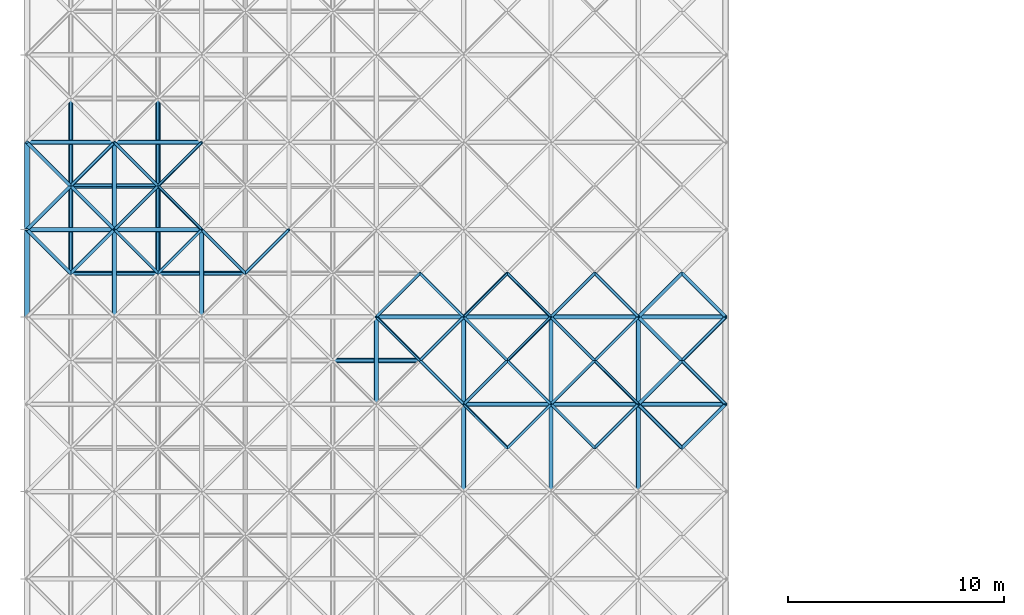
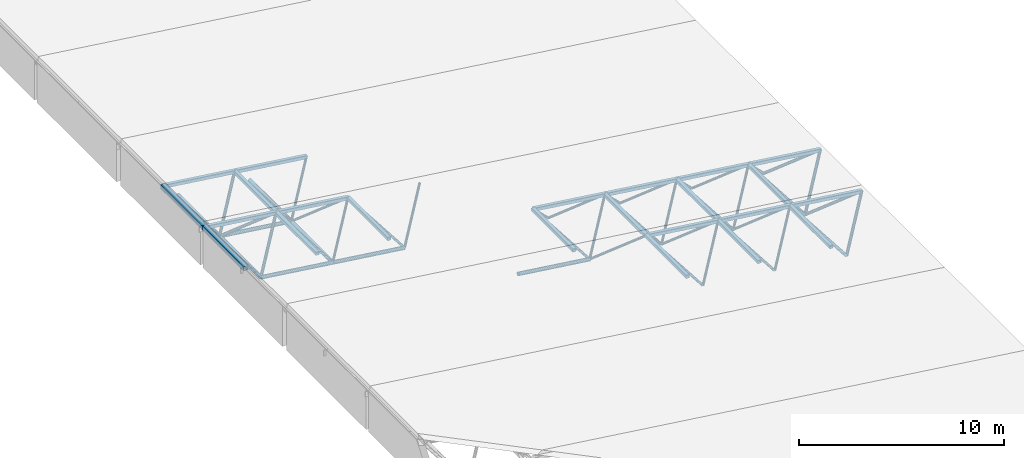
# One storey, part 19 of 70: 74 members.
"""IFC4 building model written with IfcOpenShell, lengths in metres."""

import ifcopenshell
import ifcopenshell.guid

model = None  # the IFC model being written
_history = None  # IfcOwnerHistory: only IFC2X3 demands one
_inside = {}  # id of a spatial element -> (the spatial element, [elements in it])
_under = {}  # id of a project, library or spatial element -> (it, [spatial elements below it])
_declared = {}  # id of a project -> (the project, [libraries it declares])
_typed = {}  # id of a type object -> (the type object, [elements of that type])
_made_of = {}  # id of a material, layer set ... -> (it, [elements and type objects made of it])


def new_model(schema):
    """Start an empty IFC model of exactly this schema.

    Asked for "IFC4X3", IfcOpenShell would pick the latest addendum, in which some entities
    have other attributes; the version numbers below select the first issue.
    IFC2X3 requires an IfcOwnerHistory on every rooted entity: one is made here for all.
    """
    global model, _history
    if schema == "IFC4X3":
        model = ifcopenshell.file(schema_version=(4, 3, 0, 0))
    else:
        model = ifcopenshell.file(schema=schema)
    _inside.clear()
    _under.clear()
    _declared.clear()
    _typed.clear()
    _made_of.clear()
    _history = None
    if model.schema == "IFC2X3":
        org = make("IfcOrganization", Name="unknown")
        user = make(
            "IfcPersonAndOrganization",
            ThePerson=make("IfcPerson", FamilyName="unknown"),
            TheOrganization=org,
        )
        app = make(
            "IfcApplication",
            ApplicationDeveloper=org,
            Version="unknown",
            ApplicationFullName="unknown",
            ApplicationIdentifier="unknown",
        )
        _history = make(
            "IfcOwnerHistory",
            OwningUser=user,
            OwningApplication=app,
            ChangeAction="ADDED",
            CreationDate=0,
        )
    return model


def make(cls, **values):
    """One entity of the class cls with the attributes given. An attribute that is None is left unset."""
    return model.create_entity(
        cls, **{name: value for name, value in values.items() if value is not None}
    )


def rooted(cls, **values):
    """An entity with a GlobalId (a new one), such as an element, a storey or a relation."""
    return make(cls, GlobalId=ifcopenshell.guid.new(), OwnerHistory=_history, **values)


def si_unit(unit_type, name, prefix=None):
    """IfcSIUnit, for example si_unit("LENGTHUNIT", "METRE", prefix="MILLI")."""
    return make("IfcSIUnit", UnitType=unit_type, Prefix=prefix, Name=name)


def assignment(units):
    """IfcUnitAssignment: the units of a project."""
    return None if units is None else make("IfcUnitAssignment", Units=units)


def point(xyz):
    """IfcCartesianPoint."""
    return None if xyz is None else make("IfcCartesianPoint", Coordinates=xyz)


def direction(xyz):
    """IfcDirection."""
    return None if xyz is None else make("IfcDirection", DirectionRatios=xyz)


def frame(location, z_axis=None, x_axis=None):
    """IfcAxis2Placement3D, a coordinate frame: its origin and axes. An axis left out is left unset."""
    return make(
        "IfcAxis2Placement3D",
        Location=point(location),
        Axis=direction(z_axis),
        RefDirection=direction(x_axis),
    )


def frame_2d(location, x_axis=None):
    """IfcAxis2Placement2D, a coordinate frame in the plane: its origin and x axis."""
    return make(
        "IfcAxis2Placement2D", Location=point(location), RefDirection=direction(x_axis)
    )


def origin():
    """The frame at (0, 0, 0) with its axes left unset."""
    return frame((0.0, 0.0, 0.0))


def origin_2d():
    """The frame at (0, 0) in the plane with its x axis left unset."""
    return frame_2d((0.0, 0.0))


def place(relative_to, where):
    """IfcLocalPlacement: puts the frame where relative to a parent placement (None: the world)."""
    return make(
        "IfcLocalPlacement", PlacementRelTo=relative_to, RelativePlacement=where
    )


def context(
    kind, dimensions, precision=None, world=None, true_north=None, identifier=None
):
    """IfcGeometricRepresentationContext, for example the 3D "Model" context."""
    return make(
        "IfcGeometricRepresentationContext",
        ContextIdentifier=identifier,
        ContextType=kind,
        CoordinateSpaceDimension=dimensions,
        Precision=precision,
        WorldCoordinateSystem=world,
        TrueNorth=true_north,
    )


def subcontext(parent, identifier, kind, view, scale=None):
    """IfcGeometricRepresentationSubContext, for example "Body" below "Model"."""
    return make(
        "IfcGeometricRepresentationSubContext",
        ContextIdentifier=identifier,
        ContextType=kind,
        ParentContext=parent,
        TargetScale=scale,
        TargetView=view,
    )


def project(units=None, contexts=None):
    """IfcProject with its units and contexts."""
    return rooted(
        "IfcProject",
        Name="project",
        RepresentationContexts=contexts,
        UnitsInContext=assignment(units),
    )


def spatial(cls, under=None, at=None, **own):
    """A site, building, storey or space (cls), placed at a placement, below another one or the project."""
    s = rooted(cls, ObjectPlacement=at, **own)
    if under is not None:
        _under.setdefault(under.id(), (under, []))[1].append(s)
    return s


def profile(cls, at=None, kind="AREA", **sizes):
    """A parametric profile (cls). Its sizes go by their IFC names, for example OverallWidth=200.0."""
    return make(cls, ProfileType=kind, Position=at, **sizes)


def hollow_rectangle(**sizes):
    """IfcRectangleHollowProfileDef."""
    return profile("IfcRectangleHollowProfileDef", **sizes)


def hollow_circle(**sizes):
    """IfcCircleHollowProfileDef."""
    return profile("IfcCircleHollowProfileDef", **sizes)


def extrude(swept, where, along, depth):
    """IfcExtrudedAreaSolid: the profile swept, set in the frame where, extruded along a direction by depth."""
    return make(
        "IfcExtrudedAreaSolid",
        SweptArea=swept,
        Position=where,
        ExtrudedDirection=direction(along),
        Depth=depth,
    )


def shape(context_of_items, identifier, shape_type, items):
    """IfcShapeRepresentation: the items that make up one representation, for example the "Body"."""
    return make(
        "IfcShapeRepresentation",
        ContextOfItems=context_of_items,
        RepresentationIdentifier=identifier,
        RepresentationType=shape_type,
        Items=items,
    )


def material(Name=None, Category=None):
    """IfcMaterial."""
    return make("IfcMaterial", Name=Name, Category=Category)


def material_profile(
    of_material, cross_section, Name=None, Category=None, Priority=None
):
    """IfcMaterialProfile: a cross section and its material."""
    return make(
        "IfcMaterialProfile",
        Name=Name,
        Material=of_material,
        Profile=cross_section,
        Priority=Priority,
        Category=Category,
    )


def profile_set(profiles, Name=None, composite=None):
    """IfcMaterialProfileSet."""
    return make(
        "IfcMaterialProfileSet",
        Name=Name,
        MaterialProfiles=profiles,
        CompositeProfile=composite,
    )


def made_of(thing, what):
    """Note that an element or type object is made of a material, layer set ...; save() writes the relation."""
    if what is not None:
        _made_of.setdefault(what.id(), (what, []))[1].append(thing)
    return thing


def type_object(cls, material=None, **own):
    """A type object (cls), such as IfcWallType, which elements share."""
    return made_of(rooted(cls, **own), material)


def element(
    cls,
    number,
    at=None,
    inside=None,
    cuts=None,
    type_object=None,
    material=None,
    context=None,
    identifier="Body",
    shape_type=None,
    held_by="IfcProductDefinitionShape",
    body=None,
    shapes=None,
    **own,
):
    """One element of the class cls, such as IfcWall. Its Tag is "e" and its number.

    at: its placement. inside: the storey or other place that contains it. cuts: it is an
    opening in that element (IfcRelVoidsElement). A single representation is given by context,
    identifier, shape_type and body (its items); several are given by shapes. held_by: the class
    of the entity that holds the representations. save() writes the other relations.
    """
    e = rooted(cls, Tag="e%d" % number, ObjectPlacement=at, **own)
    if body is not None:
        shapes = [shape(context, identifier, shape_type, body)]
    if shapes is not None:
        e.Representation = make(held_by, Representations=shapes)
    if inside is not None:
        _inside.setdefault(inside.id(), (inside, []))[1].append(e)
    if cuts is not None:
        rooted(
            "IfcRelVoidsElement", RelatingBuildingElement=cuts, RelatedOpeningElement=e
        )
    if type_object is not None:
        _typed.setdefault(type_object.id(), (type_object, []))[1].append(e)
    return made_of(e, material)


def aggregate(whole, parts):
    """IfcRelAggregates: a whole, such as a stair, and the parts it consists of."""
    return rooted("IfcRelAggregates", RelatingObject=whole, RelatedObjects=parts)


def save(model, path):
    """Write the relations noted so far, then the file.

    IfcRelAggregates (storeys below a building ...), IfcRelContainedInSpatialStructure (elements
    in a storey), IfcRelDefinesByType, IfcRelAssociatesMaterial and IfcRelDeclares: one each for
    every whole, place, type object, material and project.
    """
    for whole, parts in _under.values():
        aggregate(whole, parts)
    for where, things in _inside.values():
        rooted(
            "IfcRelContainedInSpatialStructure",
            RelatedElements=things,
            RelatingStructure=where,
        )
    for kind, things in _typed.values():
        rooted("IfcRelDefinesByType", RelatedObjects=things, RelatingType=kind)
    for what, things in _made_of.values():
        rooted("IfcRelAssociatesMaterial", RelatedObjects=things, RelatingMaterial=what)
    for by, libraries in _declared.values():
        rooted("IfcRelDeclares", RelatingContext=by, RelatedDefinitions=libraries)
    model.write(path)


model = new_model("IFC4")

# Units and contexts
model_context = context("Model", 3, precision=1e-05, world=origin(), true_north=direction((0.0, 1.0)))
body_context = subcontext(model_context, "Body", "Model", "MODEL_VIEW")
ifc_project = project(units=[si_unit("LENGTHUNIT", "METRE"), si_unit("AREAUNIT", "SQUARE_METRE"), si_unit("VOLUMEUNIT", "CUBIC_METRE"), si_unit("PLANEANGLEUNIT", "RADIAN"), si_unit("MASSUNIT", "GRAM", prefix="KILO")], contexts=[model_context])

# Site, building, storey
site_placement = place(None, origin())
site = spatial("IfcSite", under=ifc_project, at=site_placement, CompositionType="ELEMENT")
building_placement = place(site_placement, origin())
building = spatial("IfcBuilding", under=site, at=building_placement, Name="Vaudrelin Polytechnic", CompositionType="ELEMENT")
storey_placement = place(building_placement, frame((0.0, 0.0, 14.110107421875)))
storey = spatial("IfcBuildingStorey", under=building, at=storey_placement, Name="L03", CompositionType="ELEMENT", Elevation=14.110107421875)

# Members
ifc_material = material(Name="Steel CSA G40.21 350WT", Category="steel")
ifc_material_profile_1 = material_profile(ifc_material, hollow_circle(Radius=0.109619140625, WallThickness=0.010986328125, at=origin_2d()), Name="CHS219.1x11.1")
ifc_profile_set_1 = profile_set([ifc_material_profile_1], Name="Steel CSA G40.21 350WT")
member_type_1 = type_object("IfcMemberType", Name="MEM-SF-BC1", PredefinedType="CHORD", material=ifc_profile_set_1)
for number, where, z_axis, x_axis, name in (
    (1, (14.175048828125, 66.824951171875, 0.439208984375), (0.991444732077, 0.0, -0.130527174324), (0.0, 1.0, 0.0), "Space frame bottom chord X 4-7"),
    (2, (2.02490234375, 70.875, 2.038818359375), (0.991444732077, 0.0, -0.130527174324), (0.0, 1.0, 0.0), "Space frame bottom chord X 1-8"),
    (3, (6.074951171875, 70.875, 1.505615234375), (0.991444732077, 0.0, -0.130527174324), (0.0, 1.0, 0.0), "Space frame bottom chord X 2-8"),
    (4, (2.02490234375, 74.925048828125, 2.038818359375), (0.991444732077, 0.0, -0.130527174324), (0.0, 1.0, 0.0), "Space frame bottom chord X 1-9"),
):
    element("IfcMember", number, at=place(storey_placement, frame(where, z_axis=z_axis, x_axis=x_axis)), inside=storey, type_object=member_type_1, Name=name, PredefinedType="CHORD", context=body_context, shape_type="SweptSolid", body=[
        extrude(hollow_circle(Radius=0.109619140625, WallThickness=0.010986328125, at=origin_2d()), origin(), (0.0, 0.0, 1.0), 4.0849609375),
    ])
for number, where, z_axis, x_axis, name in (
    (5, (2.02490234375, 70.875, 2.038818359375), (0.0, 1.0, 0.0), (-1.0, 0.0, 0.0), "Space frame bottom chord Y 1-8"),
    (6, (2.02490234375, 74.925048828125, 2.038818359375), (0.0, 1.0, 0.0), (-1.0, 0.0, 0.0), "Space frame bottom chord Y 1-9"),
    (7, (6.074951171875, 70.875, 1.505615234375), (0.0, 1.0, 0.0), (-1.0, 0.0, 0.0), "Space frame bottom chord Y 2-8"),
    (8, (6.074951171875, 74.925048828125, 1.505615234375), (0.0, 1.0, 0.0), (-1.0, 0.0, 0.0), "Space frame bottom chord Y 2-9"),
):
    element("IfcMember", number, at=place(storey_placement, frame(where, z_axis=z_axis, x_axis=x_axis)), inside=storey, type_object=member_type_1, Name=name, PredefinedType="CHORD", context=body_context, shape_type="SweptSolid", body=[
        extrude(hollow_circle(Radius=0.109619140625, WallThickness=0.010986328125, at=origin_2d()), origin(), (0.0, 0.0, 1.0), 4.050048828125),
    ])
ifc_material_profile_2 = material_profile(ifc_material, hollow_rectangle(XDim=0.202880859375, YDim=0.202880859375, WallThickness=0.009521484375, InnerFilletRadius=0.009521484375, OuterFilletRadius=0.01904296875, at=origin_2d()), Name="HSS203x203x9.5")
ifc_profile_set_2 = profile_set([ifc_material_profile_2], Name="Steel CSA G40.21 350WT")
member_type_2 = type_object("IfcMemberType", Name="MEM-SF-TC1", PredefinedType="CHORD", material=ifc_profile_set_2)
for number, where, z_axis, x_axis, name in (
    (9, (20.25, 64.800048828125, 1.839599609375), (0.991444732077, 0.0, -0.130527174324), (0.0, 1.0, 0.0), "Space frame top chord X 6-7"),
    (10, (24.300048828125, 64.800048828125, 1.306396484375), (0.991444732077, 0.0, -0.130527174324), (0.0, 1.0, 0.0), "Space frame top chord X 7-7"),
):
    element("IfcMember", number, at=place(storey_placement, frame(where, z_axis=z_axis, x_axis=x_axis)), inside=storey, type_object=member_type_2, Name=name, PredefinedType="CHORD", context=body_context, shape_type="SweptSolid", body=[
        extrude(hollow_rectangle(XDim=0.202880859375, YDim=0.202880859375, WallThickness=0.009521484375, InnerFilletRadius=0.009521484375, OuterFilletRadius=0.01904296875, at=origin_2d()), origin(), (0.0, 0.0, 1.0), 4.0849609375),
    ])
member_1_placement = place(storey_placement, frame((28.35009765625, 64.800048828125, 0.773193359375), z_axis=(0.991443713746, 0.0, -0.13053490902), x_axis=(0.0, 1.0, 0.0)))
element("IfcMember", 11, at=member_1_placement, inside=storey, type_object=member_type_2, Name="Space frame top chord X 8-7", PredefinedType="CHORD", context=body_context, shape_type="SweptSolid", body=[
    extrude(hollow_rectangle(XDim=0.202880859375, YDim=0.202880859375, WallThickness=0.009521484375, InnerFilletRadius=0.009521484375, OuterFilletRadius=0.01904296875, at=origin_2d()), origin(), (0.0, 0.0, 1.0), 4.084716796875),
])
for number, where, z_axis, x_axis, name in (
    (12, (16.199951171875, 68.85009765625, 2.372802734375), (0.991444732077, 0.0, -0.130527174324), (0.0, 1.0, 0.0), "Space frame top chord X 5-8"),
    (13, (20.25, 68.85009765625, 1.839599609375), (0.991444732077, 0.0, -0.130527174324), (0.0, 1.0, 0.0), "Space frame top chord X 6-8"),
    (14, (24.300048828125, 68.85009765625, 1.306396484375), (0.991444732077, 0.0, -0.130527174324), (0.0, 1.0, 0.0), "Space frame top chord X 7-8"),
):
    element("IfcMember", number, at=place(storey_placement, frame(where, z_axis=z_axis, x_axis=x_axis)), inside=storey, type_object=member_type_2, Name=name, PredefinedType="CHORD", context=body_context, shape_type="SweptSolid", body=[
        extrude(hollow_rectangle(XDim=0.202880859375, YDim=0.202880859375, WallThickness=0.009521484375, InnerFilletRadius=0.009521484375, OuterFilletRadius=0.01904296875, at=origin_2d()), origin(), (0.0, 0.0, 1.0), 4.0849609375),
    ])
member_2_placement = place(storey_placement, frame((28.35009765625, 68.85009765625, 0.773193359375), z_axis=(0.991443713746, 0.0, -0.13053490902), x_axis=(0.0, 1.0, 0.0)))
element("IfcMember", 15, at=member_2_placement, inside=storey, type_object=member_type_2, Name="Space frame top chord X 8-8", PredefinedType="CHORD", context=body_context, shape_type="SweptSolid", body=[
    extrude(hollow_rectangle(XDim=0.202880859375, YDim=0.202880859375, WallThickness=0.009521484375, InnerFilletRadius=0.009521484375, OuterFilletRadius=0.01904296875, at=origin_2d()), origin(), (0.0, 0.0, 1.0), 4.084716796875),
])
for number, where, z_axis, x_axis, name in (
    (16, (0.0, 72.89990234375, 4.50537109375), (0.991444732077, 0.0, -0.130527174324), (0.0, 1.0, 0.0), "Space frame top chord X 1-9"),
    (17, (4.050048828125, 72.89990234375, 3.97216796875), (0.991452464639, 0.0, -0.130468426687), (0.0, 1.0, 0.0), "Space frame top chord X 2-9"),
    (18, (0.0, 76.949951171875, 4.50537109375), (0.991444732077, 0.0, -0.130527174324), (0.0, 1.0, 0.0), "Space frame top chord X 1-10"),
    (19, (4.050048828125, 76.949951171875, 3.97216796875), (0.991452464639, 0.0, -0.130468426687), (0.0, 1.0, 0.0), "Space frame top chord X 2-10"),
):
    element("IfcMember", number, at=place(storey_placement, frame(where, z_axis=z_axis, x_axis=x_axis)), inside=storey, type_object=member_type_2, Name=name, PredefinedType="CHORD", context=body_context, shape_type="SweptSolid", body=[
        extrude(hollow_rectangle(XDim=0.202880859375, YDim=0.202880859375, WallThickness=0.009521484375, InnerFilletRadius=0.009521484375, OuterFilletRadius=0.01904296875, at=origin_2d()), origin(), (0.0, 0.0, 1.0), 4.0849609375),
    ])
member_3_placement = place(storey_placement, frame((4.050048828125, 68.85009765625, 3.97216796875), z_axis=(0.0, 1.0, 0.0), x_axis=(-1.0, 0.0, 0.0)))
element("IfcMember", 20, at=member_3_placement, inside=storey, type_object=member_type_2, Name="Space frame top chord Y 2-8", PredefinedType="CHORD", context=body_context, shape_type="SweptSolid", body=[
    extrude(hollow_rectangle(XDim=0.202880859375, YDim=0.202880859375, WallThickness=0.009521484375, InnerFilletRadius=0.009521484375, OuterFilletRadius=0.01904296875, at=origin_2d()), origin(), (0.0, 0.0, 1.0), 4.0498046875),
])
member_4_placement = place(storey_placement, frame((4.050048828125, 72.89990234375, 3.97216796875), z_axis=(0.0, 1.0, 0.0), x_axis=(-1.0, 0.0, 0.0)))
element("IfcMember", 21, at=member_4_placement, inside=storey, type_object=member_type_2, Name="Space frame top chord Y 2-9", PredefinedType="CHORD", context=body_context, shape_type="SweptSolid", body=[
    extrude(hollow_rectangle(XDim=0.202880859375, YDim=0.202880859375, WallThickness=0.009521484375, InnerFilletRadius=0.009521484375, OuterFilletRadius=0.01904296875, at=origin_2d()), origin(), (0.0, 0.0, 1.0), 4.050048828125),
])
member_5_placement = place(storey_placement, frame((8.10009765625, 68.85009765625, 3.439208984375), z_axis=(0.0, 1.0, 0.0), x_axis=(-1.0, 0.0, 0.0)))
element("IfcMember", 22, at=member_5_placement, inside=storey, type_object=member_type_2, Name="Space frame top chord Y 3-8", PredefinedType="CHORD", context=body_context, shape_type="SweptSolid", body=[
    extrude(hollow_rectangle(XDim=0.202880859375, YDim=0.202880859375, WallThickness=0.009521484375, InnerFilletRadius=0.009521484375, OuterFilletRadius=0.01904296875, at=origin_2d()), origin(), (0.0, 0.0, 1.0), 4.0498046875),
])
for number, where, z_axis, x_axis, name in (
    (23, (16.199951171875, 64.800048828125, 2.372802734375), (0.0, 1.0, 0.0), (-1.0, 0.0, 0.0), "Space frame top chord Y 5-7"),
    (24, (20.25, 60.75, 1.839599609375), (0.0, 1.0, 0.0), (-1.0, 0.0, 0.0), "Space frame top chord Y 6-6"),
    (25, (20.25, 64.800048828125, 1.839599609375), (0.0, 1.0, 0.0), (-1.0, 0.0, 0.0), "Space frame top chord Y 6-7"),
    (26, (24.300048828125, 60.75, 1.306396484375), (0.0, 1.0, 0.0), (-1.0, 0.0, 0.0), "Space frame top chord Y 7-6"),
    (27, (24.300048828125, 64.800048828125, 1.306396484375), (0.0, 1.0, 0.0), (-1.0, 0.0, 0.0), "Space frame top chord Y 7-7"),
    (28, (28.35009765625, 60.75, 0.773193359375), (0.0, 1.0, 0.0), (-1.0, 0.0, 0.0), "Space frame top chord Y 8-6"),
    (29, (28.35009765625, 64.800048828125, 0.773193359375), (0.0, 1.0, 0.0), (-1.0, 0.0, 0.0), "Space frame top chord Y 8-7"),
):
    element("IfcMember", number, at=place(storey_placement, frame(where, z_axis=z_axis, x_axis=x_axis)), inside=storey, type_object=member_type_2, Name=name, PredefinedType="CHORD", context=body_context, shape_type="SweptSolid", body=[
        extrude(hollow_rectangle(XDim=0.202880859375, YDim=0.202880859375, WallThickness=0.009521484375, InnerFilletRadius=0.009521484375, OuterFilletRadius=0.01904296875, at=origin_2d()), origin(), (0.0, 0.0, 1.0), 4.050048828125),
    ])
ifc_material_profile_3 = material_profile(ifc_material, hollow_rectangle(XDim=0.25390625, YDim=0.25390625, WallThickness=0.0126953125, InnerFilletRadius=0.0126953125, OuterFilletRadius=0.025390625, at=origin_2d()), Name="HSS254x254x12.7")
ifc_profile_set_3 = profile_set([ifc_material_profile_3], Name="Steel CSA G40.21 350WT")
member_type_3 = type_object("IfcMemberType", Name="MEM-SF-TC2", PredefinedType="CHORD", material=ifc_profile_set_3)
member_6_placement = place(storey_placement, frame((0.0, 68.85009765625, 4.50537109375), z_axis=(0.0, 1.0, 0.0), x_axis=(-1.0, 0.0, 0.0)))
element("IfcMember", 30, at=member_6_placement, inside=storey, type_object=member_type_3, Name="Space frame top chord Y 1-8", PredefinedType="CHORD", context=body_context, shape_type="SweptSolid", body=[
    extrude(hollow_rectangle(XDim=0.25390625, YDim=0.25390625, WallThickness=0.0126953125, InnerFilletRadius=0.0126953125, OuterFilletRadius=0.025390625, at=origin_2d()), origin(), (0.0, 0.0, 1.0), 4.0498046875),
])
member_7_placement = place(storey_placement, frame((0.0, 72.89990234375, 4.50537109375), z_axis=(0.0, 1.0, 0.0), x_axis=(-1.0, 0.0, 0.0)))
element("IfcMember", 31, at=member_7_placement, inside=storey, type_object=member_type_3, Name="Space frame top chord Y 1-9", PredefinedType="CHORD", context=body_context, shape_type="SweptSolid", body=[
    extrude(hollow_rectangle(XDim=0.25390625, YDim=0.25390625, WallThickness=0.0126953125, InnerFilletRadius=0.0126953125, OuterFilletRadius=0.025390625, at=origin_2d()), origin(), (0.0, 0.0, 1.0), 4.050048828125),
])
ifc_material_profile_4 = material_profile(ifc_material, hollow_circle(Radius=0.06982421875, WallThickness=0.008056640625, at=origin_2d()), Name="CHS139.7x8.0")
ifc_profile_set_4 = profile_set([ifc_material_profile_4], Name="Steel CSA G40.21 350WT")
member_type_4 = type_object("IfcMemberType", Name="MEM-SF-WB1", PredefinedType="BRACE", material=ifc_profile_set_4)
member_8_placement = place(storey_placement, frame((6.074951171875, 70.875, 1.505615234375), z_axis=(0.586070753284, 0.586000099787, 0.559575692105), x_axis=(-0.707064154862, 0.707149404941, 0.0)))
element("IfcMember", 32, at=member_8_placement, inside=storey, type_object=member_type_4, Name="Space frame web diagonal 2.8.3", PredefinedType="BRACE", context=body_context, shape_type="SweptSolid", body=[
    extrude(hollow_circle(Radius=0.06982421875, WallThickness=0.008056640625, at=origin_2d()), origin(), (0.0, 0.0, 1.0), 3.45556640625),
])
for number, where, z_axis, x_axis, name in (
    (33, (6.074951171875, 70.875, 1.505615234375), (-0.535764547812, 0.535764547812, 0.652619872986), (-0.707106781187, -0.707106781187, 0.0), "Space frame web diagonal 2.8.4"),
    (34, (6.074951171875, 74.925048828125, 1.505615234375), (-0.535746005601, -0.535810600007, 0.652597286543), (0.707149404941, -0.707064154862, 0.0), "Space frame web diagonal 2.9.1"),
):
    element("IfcMember", number, at=place(storey_placement, frame(where, z_axis=z_axis, x_axis=x_axis)), inside=storey, type_object=member_type_4, Name=name, PredefinedType="BRACE", context=body_context, shape_type="SweptSolid", body=[
        extrude(hollow_circle(Radius=0.06982421875, WallThickness=0.008056640625, at=origin_2d()), origin(), (0.0, 0.0, 1.0), 3.779541015625),
    ])
for number, where, z_axis, x_axis, name in (
    (35, (6.074951171875, 74.925048828125, 1.505615234375), (0.586046488267, -0.586046488267, 0.559552524059), (0.707106781187, 0.707106781187, 0.0), "Space frame web diagonal 2.9.2"),
    (36, (6.074951171875, 74.925048828125, 1.505615234375), (0.586070753284, 0.586000099787, 0.559575692105), (-0.707064154862, 0.707149404941, 0.0), "Space frame web diagonal 2.9.3"),
):
    element("IfcMember", number, at=place(storey_placement, frame(where, z_axis=z_axis, x_axis=x_axis)), inside=storey, type_object=member_type_4, Name=name, PredefinedType="BRACE", context=body_context, shape_type="SweptSolid", body=[
        extrude(hollow_circle(Radius=0.06982421875, WallThickness=0.008056640625, at=origin_2d()), origin(), (0.0, 0.0, 1.0), 3.45556640625),
    ])
member_9_placement = place(storey_placement, frame((6.074951171875, 74.925048828125, 1.505615234375), z_axis=(-0.535764547812, 0.535764547812, 0.652619872986), x_axis=(-0.707106781187, -0.707106781187, 0.0)))
element("IfcMember", 37, at=member_9_placement, inside=storey, type_object=member_type_4, Name="Space frame web diagonal 2.9.4", PredefinedType="BRACE", context=body_context, shape_type="SweptSolid", body=[
    extrude(hollow_circle(Radius=0.06982421875, WallThickness=0.008056640625, at=origin_2d()), origin(), (0.0, 0.0, 1.0), 3.779541015625),
])
member_10_placement = place(storey_placement, frame((10.125, 70.875, 0.972412109375), z_axis=(0.586024364893, 0.586024364893, 0.559598863028), x_axis=(-0.707106781187, 0.707106781187, 0.0)))
element("IfcMember", 38, at=member_10_placement, inside=storey, type_object=member_type_4, Name="Space frame web diagonal 3.8.3", PredefinedType="BRACE", context=body_context, shape_type="SweptSolid", body=[
    extrude(hollow_circle(Radius=0.06982421875, WallThickness=0.008056640625, at=origin_2d()), origin(), (0.0, 0.0, 1.0), 3.455322265625),
])
member_11_placement = place(storey_placement, frame((10.125, 70.875, 0.972412109375), z_axis=(-0.535741961868, 0.535741961868, 0.652656954753), x_axis=(-0.707106781187, -0.707106781187, 0.0)))
element("IfcMember", 39, at=member_11_placement, inside=storey, type_object=member_type_4, Name="Space frame web diagonal 3.8.4", PredefinedType="BRACE", context=body_context, shape_type="SweptSolid", body=[
    extrude(hollow_circle(Radius=0.06982421875, WallThickness=0.008056640625, at=origin_2d()), origin(), (0.0, 0.0, 1.0), 3.779541015625),
])
member_12_placement = place(storey_placement, frame((18.22509765625, 66.824951171875, -0.093994140625), z_axis=(0.586024364893, -0.586024364893, 0.559598863028), x_axis=(0.707106781187, 0.707106781187, 0.0)))
element("IfcMember", 40, at=member_12_placement, inside=storey, type_object=member_type_4, Name="Space frame web diagonal 5.7.2", PredefinedType="BRACE", context=body_context, shape_type="SweptSolid", body=[
    extrude(hollow_circle(Radius=0.06982421875, WallThickness=0.008056640625, at=origin_2d()), origin(), (0.0, 0.0, 1.0), 3.455322265625),
])
member_13_placement = place(storey_placement, frame((18.22509765625, 66.824951171875, -0.093994140625), z_axis=(0.586000099787, 0.586070753284, 0.559575692105), x_axis=(-0.707149404941, 0.707064154862, 0.0)))
element("IfcMember", 41, at=member_13_placement, inside=storey, type_object=member_type_4, Name="Space frame web diagonal 5.7.3", PredefinedType="BRACE", context=body_context, shape_type="SweptSolid", body=[
    extrude(hollow_circle(Radius=0.06982421875, WallThickness=0.008056640625, at=origin_2d()), origin(), (0.0, 0.0, 1.0), 3.45556640625),
])
for number, where, z_axis, x_axis, name in (
    (42, (18.22509765625, 66.824951171875, -0.093994140625), (-0.535769473509, 0.535769473509, 0.652611785453), (-0.707106781187, -0.707106781187, 0.0), "Space frame web diagonal 5.7.4"),
    (43, (18.22509765625, 70.875, -0.093994140625), (-0.535788013686, -0.535723422002, 0.65263436893), (0.707064154862, -0.707149404941, 0.0), "Space frame web diagonal 5.8.1"),
):
    element("IfcMember", number, at=place(storey_placement, frame(where, z_axis=z_axis, x_axis=x_axis)), inside=storey, type_object=member_type_4, Name=name, PredefinedType="BRACE", context=body_context, shape_type="SweptSolid", body=[
        extrude(hollow_circle(Radius=0.06982421875, WallThickness=0.008056640625, at=origin_2d()), origin(), (0.0, 0.0, 1.0), 3.77978515625),
    ])
member_14_placement = place(storey_placement, frame((18.22509765625, 70.875, -0.093994140625), z_axis=(0.586024364893, -0.586024364893, 0.559598863028), x_axis=(0.707106781187, 0.707106781187, 0.0)))
element("IfcMember", 44, at=member_14_placement, inside=storey, type_object=member_type_4, Name="Space frame web diagonal 5.8.2", PredefinedType="BRACE", context=body_context, shape_type="SweptSolid", body=[
    extrude(hollow_circle(Radius=0.06982421875, WallThickness=0.008056640625, at=origin_2d()), origin(), (0.0, 0.0, 1.0), 3.455322265625),
])
member_15_placement = place(storey_placement, frame((22.27490234375, 62.77490234375, -0.627197265625), z_axis=(0.586046488267, 0.586046488267, 0.559552524059), x_axis=(-0.707106781187, 0.707106781187, 0.0)))
element("IfcMember", 45, at=member_15_placement, inside=storey, type_object=member_type_4, Name="Space frame web diagonal 6.6.3", PredefinedType="BRACE", context=body_context, shape_type="SweptSolid", body=[
    extrude(hollow_circle(Radius=0.06982421875, WallThickness=0.008056640625, at=origin_2d()), origin(), (0.0, 0.0, 1.0), 3.45556640625),
])
member_16_placement = place(storey_placement, frame((22.27490234375, 62.77490234375, -0.627197265625), z_axis=(-0.535723422002, 0.535788013686, 0.65263436893), x_axis=(-0.707149404941, -0.707064154862, 0.0)))
element("IfcMember", 46, at=member_16_placement, inside=storey, type_object=member_type_4, Name="Space frame web diagonal 6.6.4", PredefinedType="BRACE", context=body_context, shape_type="SweptSolid", body=[
    extrude(hollow_circle(Radius=0.06982421875, WallThickness=0.008056640625, at=origin_2d()), origin(), (0.0, 0.0, 1.0), 3.77978515625),
])
member_17_placement = place(storey_placement, frame((22.27490234375, 66.824951171875, -0.627197265625), z_axis=(-0.535741961868, -0.535741961868, 0.652656954753), x_axis=(0.707106781187, -0.707106781187, 0.0)))
element("IfcMember", 47, at=member_17_placement, inside=storey, type_object=member_type_4, Name="Space frame web diagonal 6.7.1", PredefinedType="BRACE", context=body_context, shape_type="SweptSolid", body=[
    extrude(hollow_circle(Radius=0.06982421875, WallThickness=0.008056640625, at=origin_2d()), origin(), (0.0, 0.0, 1.0), 3.779541015625),
])
for number, where, z_axis, x_axis, name in (
    (48, (22.27490234375, 66.824951171875, -0.627197265625), (0.586070753284, -0.586000099787, 0.559575692105), (0.707064154862, 0.707149404941, 0.0), "Space frame web diagonal 6.7.2"),
    (49, (22.27490234375, 66.824951171875, -0.627197265625), (0.586046488267, 0.586046488267, 0.559552524059), (-0.707106781187, 0.707106781187, 0.0), "Space frame web diagonal 6.7.3"),
):
    element("IfcMember", number, at=place(storey_placement, frame(where, z_axis=z_axis, x_axis=x_axis)), inside=storey, type_object=member_type_4, Name=name, PredefinedType="BRACE", context=body_context, shape_type="SweptSolid", body=[
        extrude(hollow_circle(Radius=0.06982421875, WallThickness=0.008056640625, at=origin_2d()), origin(), (0.0, 0.0, 1.0), 3.45556640625),
    ])
member_18_placement = place(storey_placement, frame((22.27490234375, 66.824951171875, -0.627197265625), z_axis=(-0.535723422002, 0.535788013686, 0.65263436893), x_axis=(-0.707149404941, -0.707064154862, 0.0)))
element("IfcMember", 50, at=member_18_placement, inside=storey, type_object=member_type_4, Name="Space frame web diagonal 6.7.4", PredefinedType="BRACE", context=body_context, shape_type="SweptSolid", body=[
    extrude(hollow_circle(Radius=0.06982421875, WallThickness=0.008056640625, at=origin_2d()), origin(), (0.0, 0.0, 1.0), 3.77978515625),
])
member_19_placement = place(storey_placement, frame((22.27490234375, 70.875, -0.627197265625), z_axis=(-0.535741961868, -0.535741961868, 0.652656954753), x_axis=(0.707106781187, -0.707106781187, 0.0)))
element("IfcMember", 51, at=member_19_placement, inside=storey, type_object=member_type_4, Name="Space frame web diagonal 6.8.1", PredefinedType="BRACE", context=body_context, shape_type="SweptSolid", body=[
    extrude(hollow_circle(Radius=0.06982421875, WallThickness=0.008056640625, at=origin_2d()), origin(), (0.0, 0.0, 1.0), 3.779541015625),
])
for number, where, z_axis, x_axis, name in (
    (52, (22.27490234375, 70.875, -0.627197265625), (0.586070753284, -0.586000099787, 0.559575692105), (0.707064154862, 0.707149404941, 0.0), "Space frame web diagonal 6.8.2"),
    (53, (26.324951171875, 62.77490234375, -1.160400390625), (0.586046488267, 0.586046488267, 0.559552524059), (-0.707106781187, 0.707106781187, 0.0), "Space frame web diagonal 7.6.3"),
):
    element("IfcMember", number, at=place(storey_placement, frame(where, z_axis=z_axis, x_axis=x_axis)), inside=storey, type_object=member_type_4, Name=name, PredefinedType="BRACE", context=body_context, shape_type="SweptSolid", body=[
        extrude(hollow_circle(Radius=0.06982421875, WallThickness=0.008056640625, at=origin_2d()), origin(), (0.0, 0.0, 1.0), 3.45556640625),
    ])
member_20_placement = place(storey_placement, frame((26.324951171875, 62.77490234375, -1.160400390625), z_axis=(-0.535723422002, 0.535788013686, 0.65263436893), x_axis=(-0.707149404941, -0.707064154862, 0.0)))
element("IfcMember", 54, at=member_20_placement, inside=storey, type_object=member_type_4, Name="Space frame web diagonal 7.6.4", PredefinedType="BRACE", context=body_context, shape_type="SweptSolid", body=[
    extrude(hollow_circle(Radius=0.06982421875, WallThickness=0.008056640625, at=origin_2d()), origin(), (0.0, 0.0, 1.0), 3.77978515625),
])
member_21_placement = place(storey_placement, frame((26.324951171875, 66.824951171875, -1.160400390625), z_axis=(-0.535741961868, -0.535741961868, 0.652656954753), x_axis=(0.707106781187, -0.707106781187, 0.0)))
element("IfcMember", 55, at=member_21_placement, inside=storey, type_object=member_type_4, Name="Space frame web diagonal 7.7.1", PredefinedType="BRACE", context=body_context, shape_type="SweptSolid", body=[
    extrude(hollow_circle(Radius=0.06982421875, WallThickness=0.008056640625, at=origin_2d()), origin(), (0.0, 0.0, 1.0), 3.779541015625),
])
for number, where, z_axis, x_axis, name in (
    (56, (26.324951171875, 66.824951171875, -1.160400390625), (0.586070753284, -0.586000099787, 0.559575692105), (0.707064154862, 0.707149404941, 0.0), "Space frame web diagonal 7.7.2"),
    (57, (26.324951171875, 66.824951171875, -1.160400390625), (0.586046488267, 0.586046488267, 0.559552524059), (-0.707106781187, 0.707106781187, 0.0), "Space frame web diagonal 7.7.3"),
):
    element("IfcMember", number, at=place(storey_placement, frame(where, z_axis=z_axis, x_axis=x_axis)), inside=storey, type_object=member_type_4, Name=name, PredefinedType="BRACE", context=body_context, shape_type="SweptSolid", body=[
        extrude(hollow_circle(Radius=0.06982421875, WallThickness=0.008056640625, at=origin_2d()), origin(), (0.0, 0.0, 1.0), 3.45556640625),
    ])
member_22_placement = place(storey_placement, frame((26.324951171875, 66.824951171875, -1.160400390625), z_axis=(-0.535723422002, 0.535788013686, 0.65263436893), x_axis=(-0.707149404941, -0.707064154862, 0.0)))
element("IfcMember", 58, at=member_22_placement, inside=storey, type_object=member_type_4, Name="Space frame web diagonal 7.7.4", PredefinedType="BRACE", context=body_context, shape_type="SweptSolid", body=[
    extrude(hollow_circle(Radius=0.06982421875, WallThickness=0.008056640625, at=origin_2d()), origin(), (0.0, 0.0, 1.0), 3.77978515625),
])
member_23_placement = place(storey_placement, frame((26.324951171875, 70.875, -1.160400390625), z_axis=(-0.535741961868, -0.535741961868, 0.652656954753), x_axis=(0.707106781187, -0.707106781187, 0.0)))
element("IfcMember", 59, at=member_23_placement, inside=storey, type_object=member_type_4, Name="Space frame web diagonal 7.8.1", PredefinedType="BRACE", context=body_context, shape_type="SweptSolid", body=[
    extrude(hollow_circle(Radius=0.06982421875, WallThickness=0.008056640625, at=origin_2d()), origin(), (0.0, 0.0, 1.0), 3.779541015625),
])
member_24_placement = place(storey_placement, frame((26.324951171875, 70.875, -1.160400390625), z_axis=(0.586070753284, -0.586000099787, 0.559575692105), x_axis=(0.707064154862, 0.707149404941, 0.0)))
element("IfcMember", 60, at=member_24_placement, inside=storey, type_object=member_type_4, Name="Space frame web diagonal 7.8.2", PredefinedType="BRACE", context=body_context, shape_type="SweptSolid", body=[
    extrude(hollow_circle(Radius=0.06982421875, WallThickness=0.008056640625, at=origin_2d()), origin(), (0.0, 0.0, 1.0), 3.45556640625),
])
ifc_material_profile_5 = material_profile(ifc_material, hollow_circle(Radius=0.084228515625, WallThickness=0.009521484375, at=origin_2d()), Name="CHS168.3x9.5")
ifc_profile_set_5 = profile_set([ifc_material_profile_5], Name="Steel CSA G40.21 350WT")
member_type_5 = type_object("IfcMemberType", Name="MEM-SF-WB2", PredefinedType="BRACE", material=ifc_profile_set_5)
member_25_placement = place(storey_placement, frame((2.02490234375, 70.875, 2.038818359375), z_axis=(0.586093924076, 0.586023267786, 0.559527159103), x_axis=(-0.707064154862, 0.707149404941, 0.0)))
element("IfcMember", 61, at=member_25_placement, inside=storey, type_object=member_type_5, Name="Space frame web diagonal 1.8.3", PredefinedType="BRACE", context=body_context, shape_type="SweptSolid", body=[
    extrude(hollow_circle(Radius=0.084228515625, WallThickness=0.009521484375, at=origin_2d()), origin(), (0.0, 0.0, 1.0), 3.455322265625),
])
for number, where, z_axis, x_axis, name in (
    (62, (2.02490234375, 70.875, 2.038818359375), (-0.535764547812, 0.535764547812, 0.652619872986), (-0.707106781187, -0.707106781187, 0.0), "Space frame web diagonal 1.8.4"),
    (63, (2.02490234375, 74.925048828125, 2.038818359375), (-0.535746005601, -0.535810600007, 0.652597286543), (0.707149404941, -0.707064154862, 0.0), "Space frame web diagonal 1.9.1"),
):
    element("IfcMember", number, at=place(storey_placement, frame(where, z_axis=z_axis, x_axis=x_axis)), inside=storey, type_object=member_type_5, Name=name, PredefinedType="BRACE", context=body_context, shape_type="SweptSolid", body=[
        extrude(hollow_circle(Radius=0.084228515625, WallThickness=0.009521484375, at=origin_2d()), origin(), (0.0, 0.0, 1.0), 3.779541015625),
    ])
member_26_placement = place(storey_placement, frame((2.02490234375, 74.925048828125, 2.038818359375), z_axis=(0.586069656181, -0.586069656181, 0.559503991235), x_axis=(0.707106781187, 0.707106781187, 0.0)))
element("IfcMember", 64, at=member_26_placement, inside=storey, type_object=member_type_5, Name="Space frame web diagonal 1.9.2", PredefinedType="BRACE", context=body_context, shape_type="SweptSolid", body=[
    extrude(hollow_circle(Radius=0.084228515625, WallThickness=0.009521484375, at=origin_2d()), origin(), (0.0, 0.0, 1.0), 3.45556640625),
])
member_27_placement = place(storey_placement, frame((2.02490234375, 74.925048828125, 2.038818359375), z_axis=(0.586093924076, 0.586023267786, 0.559527159103), x_axis=(-0.707064154862, 0.707149404941, 0.0)))
element("IfcMember", 65, at=member_27_placement, inside=storey, type_object=member_type_5, Name="Space frame web diagonal 1.9.3", PredefinedType="BRACE", context=body_context, shape_type="SweptSolid", body=[
    extrude(hollow_circle(Radius=0.084228515625, WallThickness=0.009521484375, at=origin_2d()), origin(), (0.0, 0.0, 1.0), 3.455322265625),
])
member_28_placement = place(storey_placement, frame((2.02490234375, 74.925048828125, 2.038818359375), z_axis=(-0.535764547812, 0.535764547812, 0.652619872986), x_axis=(-0.707106781187, -0.707106781187, 0.0)))
element("IfcMember", 66, at=member_28_placement, inside=storey, type_object=member_type_5, Name="Space frame web diagonal 1.9.4", PredefinedType="BRACE", context=body_context, shape_type="SweptSolid", body=[
    extrude(hollow_circle(Radius=0.084228515625, WallThickness=0.009521484375, at=origin_2d()), origin(), (0.0, 0.0, 1.0), 3.779541015625),
])
member_29_placement = place(storey_placement, frame((30.375, 62.77490234375, -1.693603515625), z_axis=(0.586000099787, 0.586070753284, 0.559575692105), x_axis=(-0.707149404941, 0.707064154862, 0.0)))
element("IfcMember", 67, at=member_29_placement, inside=storey, type_object=member_type_5, Name="Space frame web diagonal 8.6.3", PredefinedType="BRACE", context=body_context, shape_type="SweptSolid", body=[
    extrude(hollow_circle(Radius=0.084228515625, WallThickness=0.009521484375, at=origin_2d()), origin(), (0.0, 0.0, 1.0), 3.45556640625),
])
member_30_placement = place(storey_placement, frame((30.375, 62.77490234375, -1.693603515625), z_axis=(-0.535723422002, 0.535788013686, 0.65263436893), x_axis=(-0.707149404941, -0.707064154862, 0.0)))
element("IfcMember", 68, at=member_30_placement, inside=storey, type_object=member_type_5, Name="Space frame web diagonal 8.6.4", PredefinedType="BRACE", context=body_context, shape_type="SweptSolid", body=[
    extrude(hollow_circle(Radius=0.084228515625, WallThickness=0.009521484375, at=origin_2d()), origin(), (0.0, 0.0, 1.0), 3.77978515625),
])
member_31_placement = place(storey_placement, frame((30.375, 66.824951171875, -1.693603515625), z_axis=(-0.535741961868, -0.535741961868, 0.652656954753), x_axis=(0.707106781187, -0.707106781187, 0.0)))
element("IfcMember", 69, at=member_31_placement, inside=storey, type_object=member_type_5, Name="Space frame web diagonal 8.7.1", PredefinedType="BRACE", context=body_context, shape_type="SweptSolid", body=[
    extrude(hollow_circle(Radius=0.084228515625, WallThickness=0.009521484375, at=origin_2d()), origin(), (0.0, 0.0, 1.0), 3.779541015625),
])
member_32_placement = place(storey_placement, frame((30.375, 66.824951171875, -1.693603515625), z_axis=(0.586024364893, -0.586024364893, 0.559598863028), x_axis=(0.707106781187, 0.707106781187, 0.0)))
element("IfcMember", 70, at=member_32_placement, inside=storey, type_object=member_type_5, Name="Space frame web diagonal 8.7.2", PredefinedType="BRACE", context=body_context, shape_type="SweptSolid", body=[
    extrude(hollow_circle(Radius=0.084228515625, WallThickness=0.009521484375, at=origin_2d()), origin(), (0.0, 0.0, 1.0), 3.455322265625),
])
member_33_placement = place(storey_placement, frame((30.375, 66.824951171875, -1.693603515625), z_axis=(0.586000099787, 0.586070753284, 0.559575692105), x_axis=(-0.707149404941, 0.707064154862, 0.0)))
element("IfcMember", 71, at=member_33_placement, inside=storey, type_object=member_type_5, Name="Space frame web diagonal 8.7.3", PredefinedType="BRACE", context=body_context, shape_type="SweptSolid", body=[
    extrude(hollow_circle(Radius=0.084228515625, WallThickness=0.009521484375, at=origin_2d()), origin(), (0.0, 0.0, 1.0), 3.45556640625),
])
member_34_placement = place(storey_placement, frame((30.375, 66.824951171875, -1.693603515625), z_axis=(-0.535723422002, 0.535788013686, 0.65263436893), x_axis=(-0.707149404941, -0.707064154862, 0.0)))
element("IfcMember", 72, at=member_34_placement, inside=storey, type_object=member_type_5, Name="Space frame web diagonal 8.7.4", PredefinedType="BRACE", context=body_context, shape_type="SweptSolid", body=[
    extrude(hollow_circle(Radius=0.084228515625, WallThickness=0.009521484375, at=origin_2d()), origin(), (0.0, 0.0, 1.0), 3.77978515625),
])
member_35_placement = place(storey_placement, frame((30.375, 70.875, -1.693603515625), z_axis=(-0.535741961868, -0.535741961868, 0.652656954753), x_axis=(0.707106781187, -0.707106781187, 0.0)))
element("IfcMember", 73, at=member_35_placement, inside=storey, type_object=member_type_5, Name="Space frame web diagonal 8.8.1", PredefinedType="BRACE", context=body_context, shape_type="SweptSolid", body=[
    extrude(hollow_circle(Radius=0.084228515625, WallThickness=0.009521484375, at=origin_2d()), origin(), (0.0, 0.0, 1.0), 3.779541015625),
])
member_36_placement = place(storey_placement, frame((30.375, 70.875, -1.693603515625), z_axis=(0.586024364893, -0.586024364893, 0.559598863028), x_axis=(0.707106781187, 0.707106781187, 0.0)))
element("IfcMember", 74, at=member_36_placement, inside=storey, type_object=member_type_5, Name="Space frame web diagonal 8.8.2", PredefinedType="BRACE", context=body_context, shape_type="SweptSolid", body=[
    extrude(hollow_circle(Radius=0.084228515625, WallThickness=0.009521484375, at=origin_2d()), origin(), (0.0, 0.0, 1.0), 3.455322265625),
])

save(model, "model.ifc")
